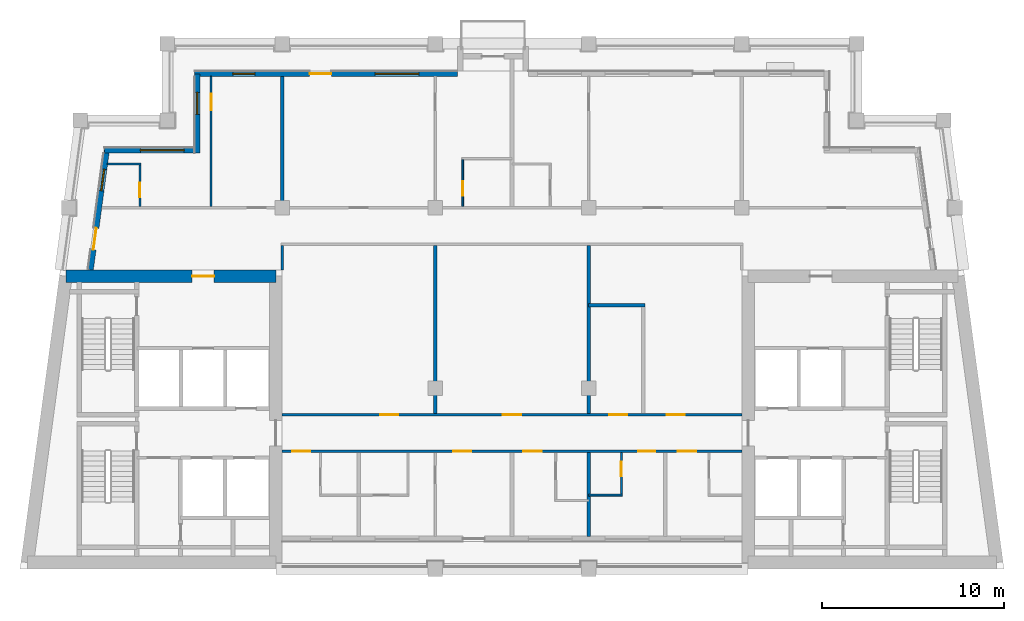
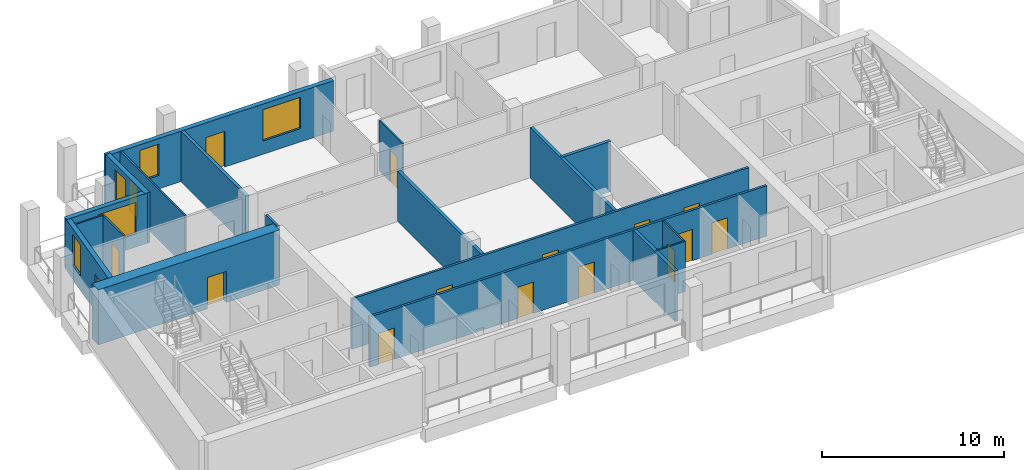
# One storey, part 3 of 10: 19 walls, 16 doors, 5 windows, 21 openings.
"""IFC4 building model written with IfcOpenShell, lengths in metres."""

from ifc_helpers import new_model, si_unit, direction, frame, frame_2d, origin, place, context, subcontext, project, spatial, rectangle, extrude, material, layer, layer_set, type_object, element, fill, save


model = new_model("IFC4")

# Units and contexts
model_context = context("Model", 3, precision=1e-05, world=origin(), true_north=direction((0.0, 1.0)))
body_context = subcontext(model_context, "Body", "Model", "MODEL_VIEW")
ifc_project = project(units=[si_unit("LENGTHUNIT", "METRE"), si_unit("AREAUNIT", "SQUARE_METRE"), si_unit("VOLUMEUNIT", "CUBIC_METRE"), si_unit("PLANEANGLEUNIT", "RADIAN"), si_unit("MASSUNIT", "GRAM", prefix="KILO")], contexts=[model_context])

# Site, building, storey
site_placement = place(None, origin())
site = spatial("IfcSite", under=ifc_project, at=site_placement, CompositionType="ELEMENT")
building_placement = place(site_placement, origin())
building = spatial("IfcBuilding", under=site, at=building_placement, Name="Candeia Pilgrim Tower and Theatre", CompositionType="ELEMENT")
storey_placement = place(building_placement, frame((0.0, 0.0, 288.60009765625)))
storey = spatial("IfcBuildingStorey", under=building, at=storey_placement, Name="L70", CompositionType="ELEMENT", Elevation=288.60009765625)

# Wall, opening, door
ifc_material_1 = material(Name="Concrete C40/50", Category="concrete")
ifc_layer_1 = layer(ifc_material_1, 0.699951171875)
ifc_layer_set_1 = layer_set([ifc_layer_1], Name="Core wall 700 C40/50")
wall_type_1 = type_object("IfcWallType", Name="Core wall 700 C40/50", PredefinedType="SHEAR", material=ifc_layer_set_1)
wall_1_placement = place(storey_placement, frame((88.936767578125, 132.050048828125, 0.0), z_axis=(0.0, 0.0, 1.0), x_axis=(1.0, 0.0, 0.0)))
wall_1 = element("IfcWall", 1, at=wall_1_placement, inside=storey, type_object=wall_type_1, Name="Core wall W1", PredefinedType="SHEAR", context=body_context, shape_type="SweptSolid", body=[
    extrude(rectangle(XDim=11.51318359375, YDim=0.699951171875, at=frame_2d((5.756591796875, 0.0))), origin(), (0.0, 0.0, 1.0), 3.699951171875),
])
opening_1_placement = place(wall_1_placement, frame((6.9267578125, 0.0, 0.0)))
opening_1 = element("IfcOpeningElement", 2, at=opening_1_placement, cuts=wall_1, Name="Opening L70-D034", PredefinedType="OPENING", context=body_context, shape_type="SweptSolid", body=[
    extrude(rectangle(XDim=1.199951171875, YDim=2.10009765625, at=frame_2d((0.60009765625, 1.050048828125))), frame((0.0, 0.35986328125, 0.0), z_axis=(0.0, -1.0, 0.0), x_axis=(1.0, 0.0, 0.0)), (0.0, 0.0, 1.0), 0.719970703125),
])
ifc_material_2 = material(Name="Steel fire door set", Category="steel")
door_type_1 = type_object("IfcDoorType", Name="D-1200-FD60", OperationType="NOTDEFINED", PredefinedType="DOOR", material=ifc_material_2)
door_1_placement = place(opening_1_placement, origin())
door_1 = element("IfcDoor", 3, at=door_1_placement, inside=storey, type_object=door_type_1, Name="Door L70-D034", OperationType="SINGLE_SWING_RIGHT", OverallHeight=2.10009765625, OverallWidth=1.199951171875, PredefinedType="DOOR", context=body_context, shape_type="SweptSolid", body=[
    extrude(rectangle(XDim=1.199951171875, YDim=2.10009765625, at=frame_2d((0.60009765625, 1.050048828125))), frame((0.0, 0.02490234375, 0.0), z_axis=(0.0, -1.0, 0.0), x_axis=(1.0, 0.0, 0.0)), (0.0, 0.0, 1.0), 0.050048828125),
])
fill(opening_1, door_1)

# Wall, openings, door, window
ifc_material_3 = material(Name="Ceramic block masonry", Category="masonry")
ifc_layer_2 = layer(ifc_material_3, 0.300048828125)
ifc_layer_set_2 = layer_set([ifc_layer_2], Name="EW1 glazing-line wall 300")
wall_type_2 = type_object("IfcWallType", Name="EW1 glazing-line wall 300", PredefinedType="SOLIDWALL", material=ifc_layer_set_2)
wall_2_placement = place(storey_placement, frame((91.177490234375, 138.949951171875, 0.0), z_axis=(0.0, 0.0, 1.0), x_axis=(-0.133426664613, -0.991058689065, 0.0)))
wall_2 = element("IfcWall", 4, at=wall_2_placement, inside=storey, type_object=wall_type_2, Name="External wall L70-0.0", PredefinedType="SOLIDWALL", context=body_context, shape_type="SweptSolid", body=[
    extrude(rectangle(XDim=6.609130859375, YDim=0.300048828125, at=frame_2d((3.3046875, 0.0))), origin(), (0.0, 0.0, 1.0), 3.3798828125),
])
opening_2_placement = place(wall_2_placement, frame((1.039306640625, 0.0, 0.89990234375)))
opening_2 = element("IfcOpeningElement", 5, at=opening_2_placement, cuts=wall_2, Name="Opening W-B", PredefinedType="OPENING", context=body_context, shape_type="SweptSolid", body=[
    extrude(rectangle(XDim=1.199951171875, YDim=2.10009765625, at=frame_2d((0.60009765625, 1.050048828125))), frame((0.0, 0.16015625, 0.0), z_axis=(0.0, -1.0, 0.0), x_axis=(1.0, 0.0, 0.0)), (0.0, 0.0, 1.0), 0.320068359375),
])
opening_3_placement = place(wall_2_placement, frame((4.293701171875, 0.0, 0.0)))
opening_3 = element("IfcOpeningElement", 6, at=opening_3_placement, cuts=wall_2, Name="Opening L70-ED653", PredefinedType="OPENING", context=body_context, shape_type="SweptSolid", body=[
    extrude(rectangle(XDim=1.199951171875, YDim=2.39990234375, at=frame_2d((0.60009765625, 1.199951171875))), frame((0.0, 0.16015625, 0.0), z_axis=(0.0, -1.0, 0.0), x_axis=(1.0, 0.0, 0.0)), (0.0, 0.0, 1.0), 0.320068359375),
])
ifc_material_4 = material(Name="Aluminium framed glazed door", Category="aluminium")
door_type_2 = type_object("IfcDoorType", Name="Loggia door 1200x2400", OperationType="DOUBLE_DOOR_SINGLE_SWING", PredefinedType="DOOR", material=ifc_material_4)
door_2_placement = place(opening_3_placement, origin())
door_2 = element("IfcDoor", 7, at=door_2_placement, inside=storey, type_object=door_type_2, Name="Loggia door L70-ED653", OperationType="DOUBLE_DOOR_SINGLE_SWING", OverallHeight=2.39990234375, OverallWidth=1.199951171875, PredefinedType="DOOR", context=body_context, shape_type="SweptSolid", body=[
    extrude(rectangle(XDim=1.199951171875, YDim=2.39990234375, at=frame_2d((0.60009765625, 1.199951171875))), frame((0.0, 0.02490234375, 0.0), z_axis=(0.0, -1.0, 0.0), x_axis=(1.0, 0.0, 0.0)), (0.0, 0.0, 1.0), 0.050048828125),
])
fill(opening_3, door_2)
ifc_material_5 = material(Name="Aluminium framed double glazing", Category="aluminium")
window_type_1 = type_object("IfcWindowType", Name="W-B window 1200x2100", PartitioningType="SINGLE_PANEL", PredefinedType="WINDOW", material=ifc_material_5)
window_1_placement = place(opening_2_placement, origin())
window_1 = element("IfcWindow", 8, at=window_1_placement, inside=storey, type_object=window_type_1, Name="Window W-B L70", OverallHeight=2.10009765625, OverallWidth=1.199951171875, PartitioningType="SINGLE_PANEL", PredefinedType="WINDOW", context=body_context, shape_type="SweptSolid", body=[
    extrude(rectangle(XDim=1.199951171875, YDim=2.10009765625, at=frame_2d((0.60009765625, 1.050048828125))), frame((0.0, 0.030029296875, 0.0), z_axis=(0.0, -1.0, 0.0), x_axis=(1.0, 0.0, 0.0)), (0.0, 0.0, 1.0), 0.06005859375),
])
fill(opening_2, window_1)

# Wall, openings, door, windows
wall_3_placement = place(storey_placement, frame((110.39990234375, 143.14990234375, 0.0), z_axis=(0.0, 0.0, 1.0), x_axis=(-1.0, 0.0, 0.0)))
wall_3 = element("IfcWall", 9, at=wall_3_placement, inside=storey, type_object=wall_type_2, Name="External wall L70-5.1", PredefinedType="SOLIDWALL", context=body_context, shape_type="SweptSolid", body=[
    extrude(rectangle(XDim=14.39990234375, YDim=0.300048828125, at=frame_2d((7.199951171875, 0.0))), origin(), (0.0, 0.0, 1.0), 3.3798828125),
])
opening_4_placement = place(wall_3_placement, frame((2.10009765625, 0.0, 0.89990234375)))
opening_4 = element("IfcOpeningElement", 10, at=opening_4_placement, cuts=wall_3, Name="Opening W-A", PredefinedType="OPENING", context=body_context, shape_type="SweptSolid", body=[
    extrude(rectangle(XDim=2.39990234375, YDim=2.10009765625, at=frame_2d((1.199951171875, 1.050048828125))), frame((0.0, 0.16015625, 0.0), z_axis=(0.0, -1.0, 0.0), x_axis=(1.0, 0.0, 0.0)), (0.0, 0.0, 1.0), 0.320068359375),
])
opening_5_placement = place(wall_3_placement, frame((6.89990234375, 0.0, 0.0)))
opening_5 = element("IfcOpeningElement", 11, at=opening_5_placement, cuts=wall_3, Name="Opening L70-ED658", PredefinedType="OPENING", context=body_context, shape_type="SweptSolid", body=[
    extrude(rectangle(XDim=1.199951171875, YDim=2.39990234375, at=frame_2d((0.60009765625, 1.199951171875))), frame((0.0, 0.16015625, 0.0), z_axis=(0.0, -1.0, 0.0), x_axis=(1.0, 0.0, 0.0)), (0.0, 0.0, 1.0), 0.320068359375),
])
opening_6_placement = place(wall_3_placement, frame((11.10009765625, 0.0, 0.89990234375)))
opening_6 = element("IfcOpeningElement", 12, at=opening_6_placement, cuts=wall_3, Name="Opening W-B", PredefinedType="OPENING", context=body_context, shape_type="SweptSolid", body=[
    extrude(rectangle(XDim=1.199951171875, YDim=2.10009765625, at=frame_2d((0.60009765625, 1.050048828125))), frame((0.0, 0.16015625, 0.0), z_axis=(0.0, -1.0, 0.0), x_axis=(1.0, 0.0, 0.0)), (0.0, 0.0, 1.0), 0.320068359375),
])
door_3_placement = place(opening_5_placement, origin())
door_3 = element("IfcDoor", 13, at=door_3_placement, inside=storey, type_object=door_type_2, Name="Loggia door L70-ED658", OperationType="DOUBLE_DOOR_SINGLE_SWING", OverallHeight=2.39990234375, OverallWidth=1.199951171875, PredefinedType="DOOR", context=body_context, shape_type="SweptSolid", body=[
    extrude(rectangle(XDim=1.199951171875, YDim=2.39990234375, at=frame_2d((0.60009765625, 1.199951171875))), frame((0.0, 0.02490234375, 0.0), z_axis=(0.0, -1.0, 0.0), x_axis=(1.0, 0.0, 0.0)), (0.0, 0.0, 1.0), 0.050048828125),
])
fill(opening_5, door_3)
window_type_2 = type_object("IfcWindowType", Name="W-A window 2400x2100", PartitioningType="DOUBLE_PANEL_VERTICAL", PredefinedType="WINDOW", material=ifc_material_5)
window_2_placement = place(opening_4_placement, origin())
window_2 = element("IfcWindow", 14, at=window_2_placement, inside=storey, type_object=window_type_2, Name="Window W-A L70", OverallHeight=2.10009765625, OverallWidth=2.39990234375, PartitioningType="SINGLE_PANEL", PredefinedType="WINDOW", context=body_context, shape_type="SweptSolid", body=[
    extrude(rectangle(XDim=2.39990234375, YDim=2.10009765625, at=frame_2d((1.199951171875, 1.050048828125))), frame((0.0, 0.030029296875, 0.0), z_axis=(0.0, -1.0, 0.0), x_axis=(1.0, 0.0, 0.0)), (0.0, 0.0, 1.0), 0.06005859375),
])
fill(opening_4, window_2)
window_3_placement = place(opening_6_placement, origin())
window_3 = element("IfcWindow", 15, at=window_3_placement, inside=storey, type_object=window_type_1, Name="Window W-B L70", OverallHeight=2.10009765625, OverallWidth=1.199951171875, PartitioningType="SINGLE_PANEL", PredefinedType="WINDOW", context=body_context, shape_type="SweptSolid", body=[
    extrude(rectangle(XDim=1.199951171875, YDim=2.10009765625, at=frame_2d((0.60009765625, 1.050048828125))), frame((0.0, 0.030029296875, 0.0), z_axis=(0.0, -1.0, 0.0), x_axis=(1.0, 0.0, 0.0)), (0.0, 0.0, 1.0), 0.06005859375),
])
fill(opening_6, window_3)

# Wall, opening, window
wall_4_placement = place(storey_placement, frame((96.14990234375, 143.14990234375, 0.0), z_axis=(0.0, 0.0, 1.0), x_axis=(0.0, -1.0, 0.0)))
wall_4 = element("IfcWall", 16, at=wall_4_placement, inside=storey, type_object=wall_type_2, Name="External wall L70-6.0", PredefinedType="SOLIDWALL", context=body_context, shape_type="SweptSolid", body=[
    extrude(rectangle(XDim=4.349853515625, YDim=0.300048828125, at=frame_2d((2.1748046875, 0.0))), origin(), (0.0, 0.0, 1.0), 3.3798828125),
])
opening_7_placement = place(wall_4_placement, frame((1.02490234375, 0.0, 0.89990234375)))
opening_7 = element("IfcOpeningElement", 17, at=opening_7_placement, cuts=wall_4, Name="Opening W-B", PredefinedType="OPENING", context=body_context, shape_type="SweptSolid", body=[
    extrude(rectangle(XDim=1.199951171875, YDim=2.10009765625, at=frame_2d((0.60009765625, 1.050048828125))), frame((0.0, 0.16015625, 0.0), z_axis=(0.0, -1.0, 0.0), x_axis=(1.0, 0.0, 0.0)), (0.0, 0.0, 1.0), 0.320068359375),
])
window_4_placement = place(opening_7_placement, origin())
window_4 = element("IfcWindow", 18, at=window_4_placement, inside=storey, type_object=window_type_1, Name="Window W-B L70", OverallHeight=2.10009765625, OverallWidth=1.199951171875, PartitioningType="SINGLE_PANEL", PredefinedType="WINDOW", context=body_context, shape_type="SweptSolid", body=[
    extrude(rectangle(XDim=1.199951171875, YDim=2.10009765625, at=frame_2d((0.60009765625, 1.050048828125))), frame((0.0, 0.030029296875, 0.0), z_axis=(0.0, -1.0, 0.0), x_axis=(1.0, 0.0, 0.0)), (0.0, 0.0, 1.0), 0.06005859375),
])
fill(opening_7, window_4)

wall_5_placement = place(storey_placement, frame((96.14990234375, 138.949951171875, 0.0), z_axis=(0.0, 0.0, 1.0), x_axis=(-1.0, 0.0, 0.0)))
wall_5 = element("IfcWall", 19, at=wall_5_placement, inside=storey, type_object=wall_type_2, Name="External wall L70-7.0", PredefinedType="SOLIDWALL", context=body_context, shape_type="SweptSolid", body=[
    extrude(rectangle(XDim=5.103759765625, YDim=0.300048828125, at=frame_2d((2.5517578125, 0.0))), origin(), (0.0, 0.0, 1.0), 3.3798828125),
])
opening_8_placement = place(wall_5_placement, frame((0.72509765625, 0.0, 0.89990234375)))
opening_8 = element("IfcOpeningElement", 20, at=opening_8_placement, cuts=wall_5, Name="Opening W-A", PredefinedType="OPENING", context=body_context, shape_type="SweptSolid", body=[
    extrude(rectangle(XDim=2.39990234375, YDim=2.10009765625, at=frame_2d((1.199951171875, 1.050048828125))), frame((0.0, 0.16015625, 0.0), z_axis=(0.0, -1.0, 0.0), x_axis=(1.0, 0.0, 0.0)), (0.0, 0.0, 1.0), 0.320068359375),
])
window_5_placement = place(opening_8_placement, origin())
window_5 = element("IfcWindow", 21, at=window_5_placement, inside=storey, type_object=window_type_2, Name="Window W-A L70", OverallHeight=2.10009765625, OverallWidth=2.39990234375, PartitioningType="SINGLE_PANEL", PredefinedType="WINDOW", context=body_context, shape_type="SweptSolid", body=[
    extrude(rectangle(XDim=2.39990234375, YDim=2.10009765625, at=frame_2d((1.199951171875, 1.050048828125))), frame((0.0, 0.030029296875, 0.0), z_axis=(0.0, -1.0, 0.0), x_axis=(1.0, 0.0, 0.0)), (0.0, 0.0, 1.0), 0.06005859375),
])
fill(opening_8, window_5)

# Walls
ifc_material_6 = material(Name="Gypsum board partition on steel studs", Category="steel")
ifc_layer_3 = layer(ifc_material_6, 0.10009765625)
ifc_layer_set_3 = layer_set([ifc_layer_3], Name="PW-100 room partition")
wall_type_3 = type_object("IfcWallType", Name="PW-100 room partition", PredefinedType="PARTITIONING", material=ifc_layer_set_3)
wall_6_placement = place(storey_placement, frame((117.60009765625, 120.050048828125, 0.0), z_axis=(0.0, 0.0, 1.0), x_axis=(1.0, 0.0, 0.0)))
element("IfcWall", 22, at=wall_6_placement, inside=storey, type_object=wall_type_3, Name="Room partition L70-011", PredefinedType="PARTITIONING", context=body_context, shape_type="SweptSolid", body=[
    extrude(rectangle(XDim=1.849853515625, YDim=0.10009765625, at=frame_2d((0.9248046875, 0.0))), origin(), (0.0, 0.0, 1.0), 3.3798828125),
])
wall_7_placement = place(storey_placement, frame((91.2177734375, 138.199951171875, 0.0), z_axis=(0.0, 0.0, 1.0), x_axis=(1.0, 0.0, 0.0)))
element("IfcWall", 23, at=wall_7_placement, inside=storey, type_object=wall_type_3, Name="Room partition L70-034", PredefinedType="PARTITIONING", context=body_context, shape_type="SweptSolid", body=[
    extrude(rectangle(XDim=1.832275390625, YDim=0.10009765625, at=frame_2d((0.916015625, 0.0))), origin(), (0.0, 0.0, 1.0), 3.3798828125),
])

# Wall, opening, door
wall_8_placement = place(storey_placement, frame((93.0, 135.875, 0.0), z_axis=(0.0, 0.0, 1.0), x_axis=(0.0, 1.0, 0.0)))
wall_8 = element("IfcWall", 24, at=wall_8_placement, inside=storey, type_object=wall_type_3, Name="Room partition L70-042", PredefinedType="PARTITIONING", context=body_context, shape_type="SweptSolid", body=[
    extrude(rectangle(XDim=2.27490234375, YDim=0.10009765625, at=frame_2d((1.137451171875, 0.0))), origin(), (0.0, 0.0, 1.0), 3.3798828125),
])
opening_9_placement = place(wall_8_placement, frame((0.5, 0.0, 0.0)))
opening_9 = element("IfcOpeningElement", 25, at=opening_9_placement, cuts=wall_8, Name="Opening L70-D022", PredefinedType="OPENING", context=body_context, shape_type="SweptSolid", body=[
    extrude(rectangle(XDim=0.800048828125, YDim=2.10009765625, at=frame_2d((0.39990234375, 1.050048828125))), frame((0.0, 0.06005859375, 0.0), z_axis=(0.0, -1.0, 0.0), x_axis=(1.0, 0.0, 0.0)), (0.0, 0.0, 1.0), 0.1201171875),
])
ifc_material_7 = material(Name="Timber door leaf", Category="wood")
door_type_3 = type_object("IfcDoorType", Name="D-800", OperationType="NOTDEFINED", PredefinedType="DOOR", material=ifc_material_7)
door_4_placement = place(opening_9_placement, origin())
door_4 = element("IfcDoor", 26, at=door_4_placement, inside=storey, type_object=door_type_3, Name="Door L70-D022", OperationType="SINGLE_SWING_RIGHT", OverallHeight=2.10009765625, OverallWidth=0.800048828125, PredefinedType="DOOR", context=body_context, shape_type="SweptSolid", body=[
    extrude(rectangle(XDim=0.800048828125, YDim=2.10009765625, at=frame_2d((0.39990234375, 1.050048828125))), frame((0.0, 0.02490234375, 0.0), z_axis=(0.0, -1.0, 0.0), x_axis=(1.0, 0.0, 0.0)), (0.0, 0.0, 1.0), 0.050048828125),
])
fill(opening_9, door_4)

wall_9_placement = place(storey_placement, frame((96.89990234375, 135.875, 0.0), z_axis=(0.0, 0.0, 1.0), x_axis=(0.0, 1.0, 0.0)))
wall_9 = element("IfcWall", 27, at=wall_9_placement, inside=storey, type_object=wall_type_3, Name="Room partition L70-045", PredefinedType="PARTITIONING", context=body_context, shape_type="SweptSolid", body=[
    extrude(rectangle(XDim=7.135009765625, YDim=0.10009765625, at=frame_2d((3.5673828125, 0.0))), origin(), (0.0, 0.0, 1.0), 3.3798828125),
])
opening_10_placement = place(wall_9_placement, frame((5.2900390625, 0.0, 0.0)))
opening_10 = element("IfcOpeningElement", 28, at=opening_10_placement, cuts=wall_9, Name="Opening L70-D021", PredefinedType="OPENING", context=body_context, shape_type="SweptSolid", body=[
    extrude(rectangle(XDim=0.89990234375, YDim=2.10009765625, at=frame_2d((0.449951171875, 1.050048828125))), frame((0.0, 0.06005859375, 0.0), z_axis=(0.0, -1.0, 0.0), x_axis=(1.0, 0.0, 0.0)), (0.0, 0.0, 1.0), 0.1201171875),
])
door_type_4 = type_object("IfcDoorType", Name="D-900", OperationType="NOTDEFINED", PredefinedType="DOOR", material=ifc_material_7)
door_5_placement = place(opening_10_placement, origin())
door_5 = element("IfcDoor", 29, at=door_5_placement, inside=storey, type_object=door_type_4, Name="Door L70-D021", OperationType="SINGLE_SWING_LEFT", OverallHeight=2.10009765625, OverallWidth=0.89990234375, PredefinedType="DOOR", context=body_context, shape_type="SweptSolid", body=[
    extrude(rectangle(XDim=0.89990234375, YDim=2.10009765625, at=frame_2d((0.449951171875, 1.050048828125))), frame((0.0, 0.02490234375, 0.0), z_axis=(0.0, -1.0, 0.0), x_axis=(1.0, 0.0, 0.0)), (0.0, 0.0, 1.0), 0.050048828125),
])
fill(opening_10, door_5)

wall_10_placement = place(storey_placement, frame((110.699951171875, 135.875, 0.0), z_axis=(0.0, 0.0, 1.0), x_axis=(0.0, 1.0, 0.0)))
wall_10 = element("IfcWall", 30, at=wall_10_placement, inside=storey, type_object=wall_type_3, Name="Room partition L70-057", PredefinedType="PARTITIONING", context=body_context, shape_type="SweptSolid", body=[
    extrude(rectangle(XDim=2.574951171875, YDim=0.10009765625, at=frame_2d((1.28759765625, 0.0))), origin(), (0.0, 0.0, 1.0), 3.3798828125),
])
opening_11_placement = place(wall_10_placement, frame((0.574951171875, 0.0, 0.0)))
opening_11 = element("IfcOpeningElement", 31, at=opening_11_placement, cuts=wall_10, Name="Opening L70-D025", PredefinedType="OPENING", context=body_context, shape_type="SweptSolid", body=[
    extrude(rectangle(XDim=0.800048828125, YDim=2.10009765625, at=frame_2d((0.39990234375, 1.050048828125))), frame((0.0, 0.06005859375, 0.0), z_axis=(0.0, -1.0, 0.0), x_axis=(1.0, 0.0, 0.0)), (0.0, 0.0, 1.0), 0.1201171875),
])
door_6_placement = place(opening_11_placement, origin())
door_6 = element("IfcDoor", 32, at=door_6_placement, inside=storey, type_object=door_type_3, Name="Door L70-D025", OperationType="SINGLE_SWING_LEFT", OverallHeight=2.10009765625, OverallWidth=0.800048828125, PredefinedType="DOOR", context=body_context, shape_type="SweptSolid", body=[
    extrude(rectangle(XDim=0.800048828125, YDim=2.10009765625, at=frame_2d((0.39990234375, 1.050048828125))), frame((0.0, 0.02490234375, 0.0), z_axis=(0.0, -1.0, 0.0), x_axis=(1.0, 0.0, 0.0)), (0.0, 0.0, 1.0), 0.050048828125),
])
fill(opening_11, door_6)

wall_11_placement = place(storey_placement, frame((119.39990234375, 120.10009765625, 0.0), z_axis=(0.0, 0.0, 1.0), x_axis=(0.0, 1.0, 0.0)))
wall_11 = element("IfcWall", 33, at=wall_11_placement, inside=storey, type_object=wall_type_3, Name="Room partition L70-065", PredefinedType="PARTITIONING", context=body_context, shape_type="SweptSolid", body=[
    extrude(rectangle(XDim=2.27490234375, YDim=0.10009765625, at=frame_2d((1.137451171875, 0.0))), origin(), (0.0, 0.0, 1.0), 3.3798828125),
])
opening_12_placement = place(wall_11_placement, frame((0.97509765625, 0.0, 0.0)))
opening_12 = element("IfcOpeningElement", 34, at=opening_12_placement, cuts=wall_11, Name="Opening L70-D017", PredefinedType="OPENING", context=body_context, shape_type="SweptSolid", body=[
    extrude(rectangle(XDim=0.800048828125, YDim=2.10009765625, at=frame_2d((0.39990234375, 1.050048828125))), frame((0.0, 0.06005859375, 0.0), z_axis=(0.0, -1.0, 0.0), x_axis=(1.0, 0.0, 0.0)), (0.0, 0.0, 1.0), 0.1201171875),
])
door_7_placement = place(opening_12_placement, origin())
door_7 = element("IfcDoor", 35, at=door_7_placement, inside=storey, type_object=door_type_3, Name="Door L70-D017", OperationType="SINGLE_SWING_LEFT", OverallHeight=2.10009765625, OverallWidth=0.800048828125, PredefinedType="DOOR", context=body_context, shape_type="SweptSolid", body=[
    extrude(rectangle(XDim=0.800048828125, YDim=2.10009765625, at=frame_2d((0.39990234375, 1.050048828125))), frame((0.0, 0.02490234375, 0.0), z_axis=(0.0, -1.0, 0.0), x_axis=(1.0, 0.0, 0.0)), (0.0, 0.0, 1.0), 0.050048828125),
])
fill(opening_12, door_7)

# Wall, openings, doors
ifc_layer_4 = layer(ifc_material_6, 0.14990234375)
ifc_layer_set_4 = layer_set([ifc_layer_4], Name="PW-150 unit wall")
wall_type_4 = type_object("IfcWallType", Name="PW-150 unit wall", PredefinedType="PARTITIONING", material=ifc_layer_set_4)
wall_12_placement = place(storey_placement, frame((100.800048828125, 122.449951171875, 0.0), z_axis=(0.0, 0.0, 1.0), x_axis=(1.0, 0.0, 0.0)))
wall_12 = element("IfcWall", 36, at=wall_12_placement, inside=storey, type_object=wall_type_4, Name="Unit wall L70-017", PredefinedType="PARTITIONING", context=body_context, shape_type="SweptSolid", body=[
    extrude(rectangle(XDim=25.199951171875, YDim=0.14990234375, at=frame_2d((12.60009765625, 0.0))), origin(), (0.0, 0.0, 1.0), 3.3798828125),
])
opening_13_placement = place(wall_12_placement, frame((0.550048828125, 0.0, 0.0)))
opening_13 = element("IfcOpeningElement", 37, at=opening_13_placement, cuts=wall_12, Name="Opening L70-D009", PredefinedType="OPENING", context=body_context, shape_type="SweptSolid", body=[
    extrude(rectangle(XDim=1.0, YDim=2.10009765625, at=frame_2d((0.5, 1.050048828125))), frame((0.0, 0.0849609375, 0.0), z_axis=(0.0, -1.0, 0.0), x_axis=(1.0, 0.0, 0.0)), (0.0, 0.0, 1.0), 0.169921875),
])
opening_14_placement = place(wall_12_placement, frame((9.375, 0.0, 0.0)))
opening_14 = element("IfcOpeningElement", 38, at=opening_14_placement, cuts=wall_12, Name="Opening L70-D011", PredefinedType="OPENING", context=body_context, shape_type="SweptSolid", body=[
    extrude(rectangle(XDim=1.0, YDim=2.10009765625, at=frame_2d((0.5, 1.050048828125))), frame((0.0, 0.0849609375, 0.0), z_axis=(0.0, -1.0, 0.0), x_axis=(1.0, 0.0, 0.0)), (0.0, 0.0, 1.0), 0.169921875),
])
opening_15_placement = place(wall_12_placement, frame((13.22998046875, 0.0, 0.0)))
opening_15 = element("IfcOpeningElement", 39, at=opening_15_placement, cuts=wall_12, Name="Opening L70-D014", PredefinedType="OPENING", context=body_context, shape_type="SweptSolid", body=[
    extrude(rectangle(XDim=1.0, YDim=2.10009765625, at=frame_2d((0.5, 1.050048828125))), frame((0.0, 0.0849609375, 0.0), z_axis=(0.0, -1.0, 0.0), x_axis=(1.0, 0.0, 0.0)), (0.0, 0.0, 1.0), 0.169921875),
])
opening_16_placement = place(wall_12_placement, frame((19.512939453125, 0.0, 0.0)))
opening_16 = element("IfcOpeningElement", 40, at=opening_16_placement, cuts=wall_12, Name="Opening L70-D016", PredefinedType="OPENING", context=body_context, shape_type="SweptSolid", body=[
    extrude(rectangle(XDim=0.949951171875, YDim=2.10009765625, at=frame_2d((0.47509765625, 1.050048828125))), frame((0.0, 0.0849609375, 0.0), z_axis=(0.0, -1.0, 0.0), x_axis=(1.0, 0.0, 0.0)), (0.0, 0.0, 1.0), 0.169921875),
])
opening_17_placement = place(wall_12_placement, frame((21.699951171875, 0.0, 0.0)))
opening_17 = element("IfcOpeningElement", 41, at=opening_17_placement, cuts=wall_12, Name="Opening L70-D018", PredefinedType="OPENING", context=body_context, shape_type="SweptSolid", body=[
    extrude(rectangle(XDim=1.0, YDim=2.10009765625, at=frame_2d((0.5, 1.050048828125))), frame((0.0, 0.0849609375, 0.0), z_axis=(0.0, -1.0, 0.0), x_axis=(1.0, 0.0, 0.0)), (0.0, 0.0, 1.0), 0.169921875),
])
door_type_5 = type_object("IfcDoorType", Name="D-1000-FD30S", OperationType="NOTDEFINED", PredefinedType="DOOR", material=ifc_material_2)
door_8_placement = place(opening_13_placement, origin())
door_8 = element("IfcDoor", 42, at=door_8_placement, inside=storey, type_object=door_type_5, Name="Door L70-D009", OperationType="SINGLE_SWING_LEFT", OverallHeight=2.10009765625, OverallWidth=1.0, PredefinedType="DOOR", context=body_context, shape_type="SweptSolid", body=[
    extrude(rectangle(XDim=1.0, YDim=2.10009765625, at=frame_2d((0.5, 1.050048828125))), frame((0.0, 0.02490234375, 0.0), z_axis=(0.0, -1.0, 0.0), x_axis=(1.0, 0.0, 0.0)), (0.0, 0.0, 1.0), 0.050048828125),
])
fill(opening_13, door_8)
door_9_placement = place(opening_14_placement, origin())
door_9 = element("IfcDoor", 43, at=door_9_placement, inside=storey, type_object=door_type_5, Name="Door L70-D011", OperationType="SINGLE_SWING_LEFT", OverallHeight=2.10009765625, OverallWidth=1.0, PredefinedType="DOOR", context=body_context, shape_type="SweptSolid", body=[
    extrude(rectangle(XDim=1.0, YDim=2.10009765625, at=frame_2d((0.5, 1.050048828125))), frame((0.0, 0.02490234375, 0.0), z_axis=(0.0, -1.0, 0.0), x_axis=(1.0, 0.0, 0.0)), (0.0, 0.0, 1.0), 0.050048828125),
])
fill(opening_14, door_9)
door_10_placement = place(opening_15_placement, origin())
door_10 = element("IfcDoor", 44, at=door_10_placement, inside=storey, type_object=door_type_5, Name="Door L70-D014", OperationType="SINGLE_SWING_RIGHT", OverallHeight=2.10009765625, OverallWidth=1.0, PredefinedType="DOOR", context=body_context, shape_type="SweptSolid", body=[
    extrude(rectangle(XDim=1.0, YDim=2.10009765625, at=frame_2d((0.5, 1.050048828125))), frame((0.0, 0.02490234375, 0.0), z_axis=(0.0, -1.0, 0.0), x_axis=(1.0, 0.0, 0.0)), (0.0, 0.0, 1.0), 0.050048828125),
])
fill(opening_15, door_10)
door_11_placement = place(opening_17_placement, origin())
door_11 = element("IfcDoor", 45, at=door_11_placement, inside=storey, type_object=door_type_5, Name="Door L70-D018", OperationType="SINGLE_SWING_RIGHT", OverallHeight=2.10009765625, OverallWidth=1.0, PredefinedType="DOOR", context=body_context, shape_type="SweptSolid", body=[
    extrude(rectangle(XDim=1.0, YDim=2.10009765625, at=frame_2d((0.5, 1.050048828125))), frame((0.0, 0.02490234375, 0.0), z_axis=(0.0, -1.0, 0.0), x_axis=(1.0, 0.0, 0.0)), (0.0, 0.0, 1.0), 0.050048828125),
])
fill(opening_17, door_11)
door_type_6 = type_object("IfcDoorType", Name="D-950-FD30S", OperationType="NOTDEFINED", PredefinedType="DOOR", material=ifc_material_2)
door_12_placement = place(opening_16_placement, origin())
door_12 = element("IfcDoor", 46, at=door_12_placement, inside=storey, type_object=door_type_6, Name="Door L70-D016", OperationType="SINGLE_SWING_RIGHT", OverallHeight=2.10009765625, OverallWidth=0.949951171875, PredefinedType="DOOR", context=body_context, shape_type="SweptSolid", body=[
    extrude(rectangle(XDim=0.949951171875, YDim=2.10009765625, at=frame_2d((0.47509765625, 1.050048828125))), frame((0.0, 0.02490234375, 0.0), z_axis=(0.0, -1.0, 0.0), x_axis=(1.0, 0.0, 0.0)), (0.0, 0.0, 1.0), 0.050048828125),
])
fill(opening_16, door_12)

wall_13_placement = place(storey_placement, frame((100.800048828125, 124.449951171875, 0.0), z_axis=(0.0, 0.0, 1.0), x_axis=(1.0, 0.0, 0.0)))
wall_13 = element("IfcWall", 47, at=wall_13_placement, inside=storey, type_object=wall_type_4, Name="Unit wall L70-022", PredefinedType="PARTITIONING", context=body_context, shape_type="SweptSolid", body=[
    extrude(rectangle(XDim=25.199951171875, YDim=0.14990234375, at=frame_2d((12.60009765625, 0.0))), origin(), (0.0, 0.0, 1.0), 3.3798828125),
])
opening_18_placement = place(wall_13_placement, frame((21.074951171875, 0.0, 0.0)))
opening_18 = element("IfcOpeningElement", 48, at=opening_18_placement, cuts=wall_13, Name="Opening L70-D030", PredefinedType="OPENING", context=body_context, shape_type="SweptSolid", body=[
    extrude(rectangle(XDim=1.0, YDim=2.10009765625, at=frame_2d((0.5, 1.050048828125))), frame((0.0, 0.0849609375, 0.0), z_axis=(0.0, -1.0, 0.0), x_axis=(1.0, 0.0, 0.0)), (0.0, 0.0, 1.0), 0.169921875),
])
opening_19_placement = place(wall_13_placement, frame((5.375, 0.0, 0.0)))
opening_19 = element("IfcOpeningElement", 49, at=opening_19_placement, cuts=wall_13, Name="Opening L70-D031", PredefinedType="OPENING", context=body_context, shape_type="SweptSolid", body=[
    extrude(rectangle(XDim=1.0, YDim=2.10009765625, at=frame_2d((0.5, 1.050048828125))), frame((0.0, 0.0849609375, 0.0), z_axis=(0.0, -1.0, 0.0), x_axis=(1.0, 0.0, 0.0)), (0.0, 0.0, 1.0), 0.169921875),
])
opening_20_placement = place(wall_13_placement, frame((12.10009765625, 0.0, 0.0)))
opening_20 = element("IfcOpeningElement", 50, at=opening_20_placement, cuts=wall_13, Name="Opening L70-D032", PredefinedType="OPENING", context=body_context, shape_type="SweptSolid", body=[
    extrude(rectangle(XDim=1.0, YDim=2.10009765625, at=frame_2d((0.5, 1.050048828125))), frame((0.0, 0.0849609375, 0.0), z_axis=(0.0, -1.0, 0.0), x_axis=(1.0, 0.0, 0.0)), (0.0, 0.0, 1.0), 0.169921875),
])
opening_21_placement = place(wall_13_placement, frame((17.929931640625, 0.0, 0.0)))
opening_21 = element("IfcOpeningElement", 51, at=opening_21_placement, cuts=wall_13, Name="Opening L70-D033", PredefinedType="OPENING", context=body_context, shape_type="SweptSolid", body=[
    extrude(rectangle(XDim=1.0, YDim=2.10009765625, at=frame_2d((0.5, 1.050048828125))), frame((0.0, 0.0849609375, 0.0), z_axis=(0.0, -1.0, 0.0), x_axis=(1.0, 0.0, 0.0)), (0.0, 0.0, 1.0), 0.169921875),
])
door_13_placement = place(opening_18_placement, origin())
door_13 = element("IfcDoor", 52, at=door_13_placement, inside=storey, type_object=door_type_5, Name="Door L70-D030", OperationType="SINGLE_SWING_RIGHT", OverallHeight=2.10009765625, OverallWidth=1.0, PredefinedType="DOOR", context=body_context, shape_type="SweptSolid", body=[
    extrude(rectangle(XDim=1.0, YDim=2.10009765625, at=frame_2d((0.5, 1.050048828125))), frame((0.0, 0.02490234375, 0.0), z_axis=(0.0, -1.0, 0.0), x_axis=(1.0, 0.0, 0.0)), (0.0, 0.0, 1.0), 0.050048828125),
])
fill(opening_18, door_13)
door_14_placement = place(opening_19_placement, origin())
door_14 = element("IfcDoor", 53, at=door_14_placement, inside=storey, type_object=door_type_5, Name="Door L70-D031", OperationType="SINGLE_SWING_LEFT", OverallHeight=2.10009765625, OverallWidth=1.0, PredefinedType="DOOR", context=body_context, shape_type="SweptSolid", body=[
    extrude(rectangle(XDim=1.0, YDim=2.10009765625, at=frame_2d((0.5, 1.050048828125))), frame((0.0, 0.02490234375, 0.0), z_axis=(0.0, -1.0, 0.0), x_axis=(1.0, 0.0, 0.0)), (0.0, 0.0, 1.0), 0.050048828125),
])
fill(opening_19, door_14)
door_15_placement = place(opening_20_placement, origin())
door_15 = element("IfcDoor", 54, at=door_15_placement, inside=storey, type_object=door_type_5, Name="Door L70-D032", OperationType="SINGLE_SWING_RIGHT", OverallHeight=2.10009765625, OverallWidth=1.0, PredefinedType="DOOR", context=body_context, shape_type="SweptSolid", body=[
    extrude(rectangle(XDim=1.0, YDim=2.10009765625, at=frame_2d((0.5, 1.050048828125))), frame((0.0, 0.02490234375, 0.0), z_axis=(0.0, -1.0, 0.0), x_axis=(1.0, 0.0, 0.0)), (0.0, 0.0, 1.0), 0.050048828125),
])
fill(opening_20, door_15)
door_16_placement = place(opening_21_placement, origin())
door_16 = element("IfcDoor", 55, at=door_16_placement, inside=storey, type_object=door_type_5, Name="Door L70-D033", OperationType="SINGLE_SWING_LEFT", OverallHeight=2.10009765625, OverallWidth=1.0, PredefinedType="DOOR", context=body_context, shape_type="SweptSolid", body=[
    extrude(rectangle(XDim=1.0, YDim=2.10009765625, at=frame_2d((0.5, 1.050048828125))), frame((0.0, 0.02490234375, 0.0), z_axis=(0.0, -1.0, 0.0), x_axis=(1.0, 0.0, 0.0)), (0.0, 0.0, 1.0), 0.050048828125),
])
fill(opening_21, door_16)

# Walls
wall_14_placement = place(storey_placement, frame((100.800048828125, 132.39990234375, 0.0), z_axis=(0.0, 0.0, 1.0), x_axis=(0.0, 1.0, 0.0)))
element("IfcWall", 56, at=wall_14_placement, inside=storey, type_object=wall_type_4, Name="Unit wall L70-050", PredefinedType="PARTITIONING", context=body_context, shape_type="SweptSolid", body=[
    extrude(rectangle(XDim=1.3251953125, YDim=0.14990234375, at=frame_2d((0.66259765625, 0.0))), origin(), (0.0, 0.0, 1.0), 3.3798828125),
])
ifc_layer_5 = layer(ifc_material_6, 0.199951171875)
ifc_layer_set_5 = layer_set([ifc_layer_5], Name="PW-200 party wall")
wall_type_5 = type_object("IfcWallType", Name="PW-200 party wall", PredefinedType="PARTITIONING", material=ifc_layer_set_5)
wall_15_placement = place(storey_placement, frame((117.60009765625, 130.449951171875, 0.0), z_axis=(0.0, 0.0, 1.0), x_axis=(1.0, 0.0, 0.0)))
element("IfcWall", 57, at=wall_15_placement, inside=storey, type_object=wall_type_5, Name="Party wall L70-029", PredefinedType="PARTITIONING", context=body_context, shape_type="SweptSolid", body=[
    extrude(rectangle(XDim=3.099853515625, YDim=0.199951171875, at=frame_2d((1.5498046875, 0.0))), origin(), (0.0, 0.0, 1.0), 3.3798828125),
])
wall_16_placement = place(storey_placement, frame((100.800048828125, 135.875, 0.0), z_axis=(0.0, 0.0, 1.0), x_axis=(0.0, 1.0, 0.0)))
element("IfcWall", 58, at=wall_16_placement, inside=storey, type_object=wall_type_5, Name="Party wall L70-049", PredefinedType="PARTITIONING", context=body_context, shape_type="SweptSolid", body=[
    extrude(rectangle(XDim=7.135009765625, YDim=0.199951171875, at=frame_2d((3.5673828125, 0.0))), origin(), (0.0, 0.0, 1.0), 3.3798828125),
])
wall_17_placement = place(storey_placement, frame((109.199951171875, 124.52490234375, 0.0), z_axis=(0.0, 0.0, 1.0), x_axis=(0.0, 1.0, 0.0)))
element("IfcWall", 59, at=wall_17_placement, inside=storey, type_object=wall_type_5, Name="Party wall L70-056", PredefinedType="PARTITIONING", context=body_context, shape_type="SweptSolid", body=[
    extrude(rectangle(XDim=9.2001953125, YDim=0.199951171875, at=frame_2d((4.60009765625, 0.0))), origin(), (0.0, 0.0, 1.0), 3.3798828125),
])
wall_18_placement = place(storey_placement, frame((117.60009765625, 117.7900390625, 0.0), z_axis=(0.0, 0.0, 1.0), x_axis=(0.0, 1.0, 0.0)))
element("IfcWall", 60, at=wall_18_placement, inside=storey, type_object=wall_type_5, Name="Party wall L70-063", PredefinedType="PARTITIONING", context=body_context, shape_type="SweptSolid", body=[
    extrude(rectangle(XDim=4.5849609375, YDim=0.199951171875, at=frame_2d((2.29248046875, 0.0))), origin(), (0.0, 0.0, 1.0), 3.3798828125),
])
wall_19_placement = place(storey_placement, frame((117.60009765625, 124.52490234375, 0.0), z_axis=(0.0, 0.0, 1.0), x_axis=(0.0, 1.0, 0.0)))
element("IfcWall", 61, at=wall_19_placement, inside=storey, type_object=wall_type_5, Name="Party wall L70-064", PredefinedType="PARTITIONING", context=body_context, shape_type="SweptSolid", body=[
    extrude(rectangle(XDim=9.2001953125, YDim=0.199951171875, at=frame_2d((4.60009765625, 0.0))), origin(), (0.0, 0.0, 1.0), 3.3798828125),
])

save(model, "model.ifc")
